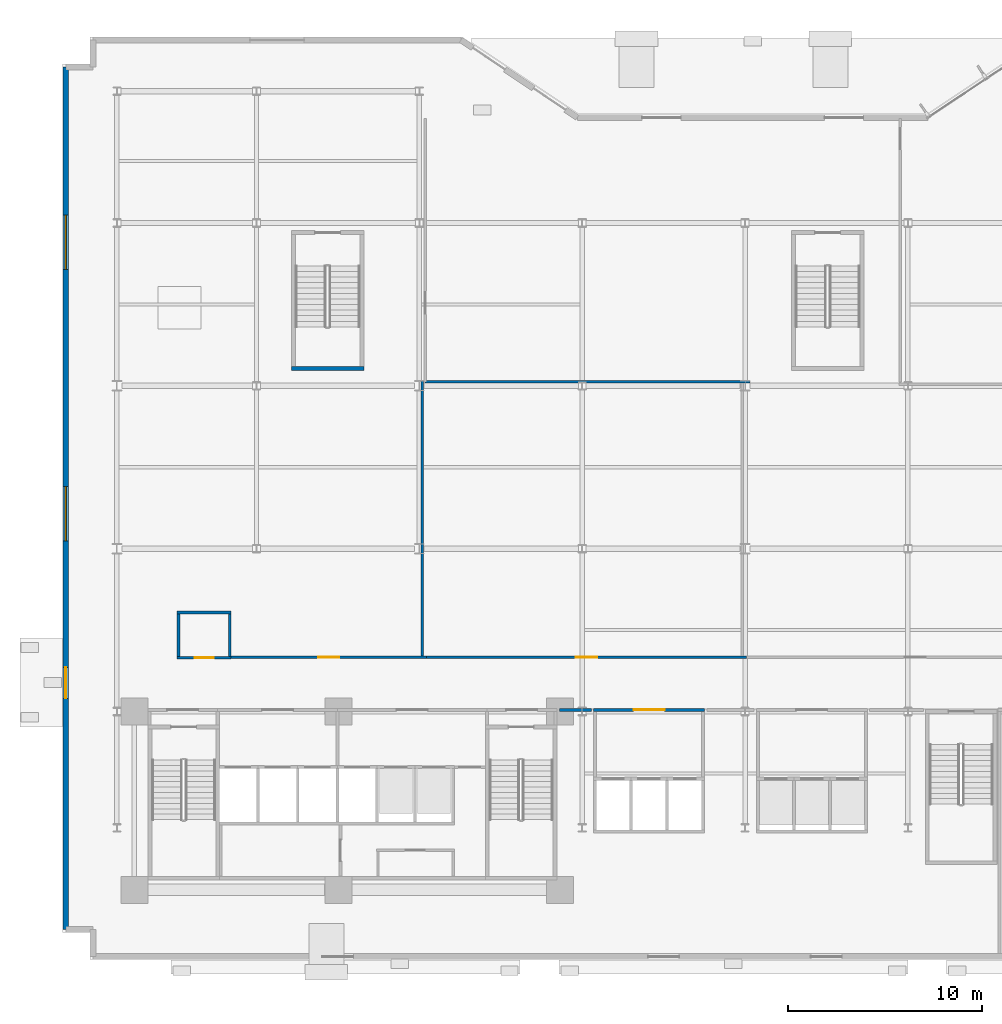
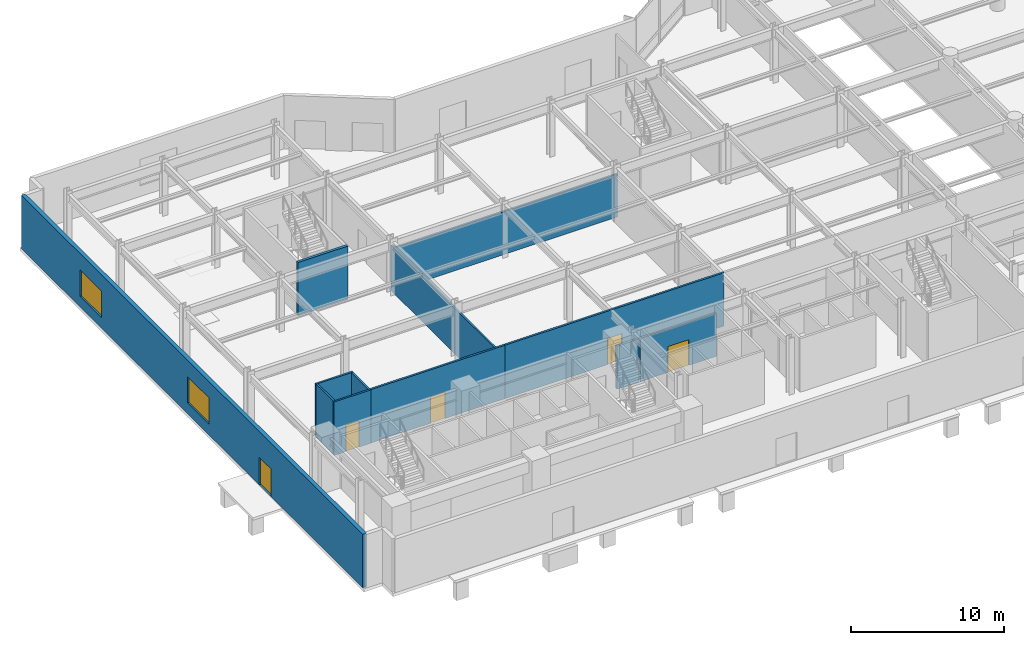
# One storey, part 14 of 26: 12 walls, 5 doors, 2 windows, 7 openings.
"""IFC4 building model written with IfcOpenShell, lengths in metres."""

from ifc_helpers import new_model, si_unit, direction, frame, frame_2d, origin, place, context, subcontext, project, spatial, rectangle, extrude, material, layer, layer_set, type_object, element, fill, save


model = new_model("IFC4")

# Units and contexts
model_context = context("Model", 3, precision=1e-05, world=origin(), true_north=direction((0.0, 1.0)))
body_context = subcontext(model_context, "Body", "Model", "MODEL_VIEW")
ifc_project = project(units=[si_unit("LENGTHUNIT", "METRE"), si_unit("AREAUNIT", "SQUARE_METRE"), si_unit("VOLUMEUNIT", "CUBIC_METRE"), si_unit("PLANEANGLEUNIT", "RADIAN"), si_unit("MASSUNIT", "GRAM", prefix="KILO")], contexts=[model_context])

# Site, building, storey
site_placement = place(None, origin())
site = spatial("IfcSite", under=ifc_project, at=site_placement, CompositionType="ELEMENT")
building_placement = place(site_placement, origin())
building = spatial("IfcBuilding", under=site, at=building_placement, Name="Varnakote Quay Hospital", CompositionType="ELEMENT")
storey_placement = place(building_placement, origin())
storey = spatial("IfcBuildingStorey", under=building, at=storey_placement, Name="L00", CompositionType="ELEMENT", Elevation=0.0)

# Wall, opening, door
ifc_material_1 = material(Name="Fire-rated acoustic gypsum stud wall", Category="gypsum")
ifc_layer_1 = layer(ifc_material_1, 0.159912109375)
ifc_layer_set_1 = layer_set([ifc_layer_1], Name="Fire-rated acoustic gypsum stud wall")
wall_type_1 = type_object("IfcWallType", Name="WL-COMP-160", PredefinedType="PARTITIONING", material=ifc_layer_set_1)
wall_1_placement = place(storey_placement, frame((25.7900390625, 12.080078125, 0.0), z_axis=(0.0, 0.0, 1.0), x_axis=(1.0, 0.0, 0.0)))
wall_1 = element("IfcWall", 1, at=wall_1_placement, inside=storey, type_object=wall_type_1, Name="L00 Low-Rise Lift Lobby North Wall", PredefinedType="PARTITIONING", context=body_context, shape_type="SweptSolid", body=[
    extrude(rectangle(XDim=5.719970703125, YDim=0.159912109375, at=frame_2d((2.85986328125, 0.0))), origin(), (0.0, 0.0, 1.0), 3.425048828125),
])
opening_1_placement = place(wall_1_placement, frame((2.06005859375, 0.0, 0.0)))
opening_1 = element("IfcOpeningElement", 2, at=opening_1_placement, cuts=wall_1, Name="Opening D-PLL-L00", PredefinedType="OPENING", context=body_context, shape_type="SweptSolid", body=[
    extrude(rectangle(XDim=1.60009765625, YDim=2.050048828125, at=frame_2d((0.800048828125, 1.02490234375))), frame((0.0, 0.08984375, 0.0), z_axis=(0.0, -1.0, 0.0), x_axis=(1.0, 0.0, 0.0)), (0.0, 0.0, 1.0), 0.179931640625),
])
ifc_material_2 = material(Name="Fire-rated double smoke lobby door")
door_type_1 = type_object("IfcDoorType", Name="DR-LOBBY-FD60S-1600x2150", OperationType="NOTDEFINED", PredefinedType="DOOR", material=ifc_material_2)
door_1_placement = place(opening_1_placement, origin())
door_1 = element("IfcDoor", 3, at=door_1_placement, inside=storey, type_object=door_type_1, Name="L00 Low-Rise Passenger Concourse Vestibule Door", OperationType="DOUBLE_DOOR_SINGLE_SWING", OverallHeight=2.050048828125, OverallWidth=1.60009765625, PredefinedType="DOOR", context=body_context, shape_type="SweptSolid", body=[
    extrude(rectangle(XDim=1.60009765625, YDim=2.050048828125, at=frame_2d((0.800048828125, 1.02490234375))), frame((0.0, 0.02490234375, 0.0), z_axis=(0.0, -1.0, 0.0), x_axis=(1.0, 0.0, 0.0)), (0.0, 0.0, 1.0), 0.050048828125),
])
fill(opening_1, door_1)

# Wall
wall_2_placement = place(storey_placement, frame((24.02001953125, 12.080078125, 0.0), z_axis=(0.0, 0.0, 1.0), x_axis=(1.0, 0.0, 0.0)))
element("IfcWall", 4, at=wall_2_placement, inside=storey, type_object=wall_type_1, Name="L00 Corridor South Gap Wall", PredefinedType="PARTITIONING", context=body_context, shape_type="SweptSolid", body=[
    extrude(rectangle(XDim=1.64990234375, YDim=0.159912109375, at=frame_2d((0.824951171875, 0.0))), origin(), (0.0, 0.0, 1.0), 3.425048828125),
])

# Wall, openings, door, windows
ifc_material_3 = material(Name="Precast concrete N50 (f'c 50 MPa)", Category="concrete")
ifc_layer_2 = layer(ifc_material_3, 0.300048828125)
ifc_layer_set_2 = layer_set([ifc_layer_2], Name="Precast concrete N50 (f'c 50 MPa)")
wall_type_2 = type_object("IfcWallType", Name="WL-EXT-BRICK-300", PredefinedType="STANDARD", material=ifc_layer_set_2)
wall_3_placement = place(storey_placement, frame((-1.43994140625, 0.760009765625, 0.0), z_axis=(0.0, 0.0, 1.0), x_axis=(0.0, 1.0, 0.0)))
wall_3 = element("IfcWall", 5, at=wall_3_placement, inside=storey, type_object=wall_type_2, Name="L00 West Protected Corridor & Emergency Exterior Wall", PredefinedType="STANDARD", context=body_context, shape_type="SweptSolid", body=[
    extrude(rectangle(XDim=44.47998046875, YDim=0.300048828125, at=frame_2d((22.239990234375, 0.0))), origin(), (0.0, 0.0, 1.0), 4.25),
])
opening_2_placement = place(wall_3_placement, frame((11.919921875, 0.0, 0.0)))
opening_2 = element("IfcOpeningElement", 6, at=opening_2_placement, cuts=wall_3, Name="Opening DE-ST1-L00", PredefinedType="OPENING", context=body_context, shape_type="SweptSolid", body=[
    extrude(rectangle(XDim=1.60009765625, YDim=2.199951171875, at=frame_2d((0.800048828125, 1.10009765625))), frame((0.0, 0.159912109375, 0.0), z_axis=(0.0, -1.0, 0.0), x_axis=(1.0, 0.0, 0.0)), (0.0, 0.0, 1.0), 0.320068359375),
])
opening_3_placement = place(wall_3_placement, frame((20.0400390625, 0.0, 0.85009765625)))
opening_3 = element("IfcOpeningElement", 7, at=opening_3_placement, cuts=wall_3, Name="Opening WN-0005", PredefinedType="OPENING", context=body_context, shape_type="SweptSolid", body=[
    extrude(rectangle(XDim=2.800048828125, YDim=2.10009765625, at=frame_2d((1.39990234375, 1.050048828125))), frame((0.0, 0.159912109375, 0.0), z_axis=(0.0, -1.0, 0.0), x_axis=(1.0, 0.0, 0.0)), (0.0, 0.0, 1.0), 0.320068359375),
])
opening_4_placement = place(wall_3_placement, frame((34.0400390625, 0.0, 0.85009765625)))
opening_4 = element("IfcOpeningElement", 8, at=opening_4_placement, cuts=wall_3, Name="Opening WN-0006", PredefinedType="OPENING", context=body_context, shape_type="SweptSolid", body=[
    extrude(rectangle(XDim=2.800048828125, YDim=2.10009765625, at=frame_2d((1.39990234375, 1.050048828125))), frame((0.0, 0.159912109375, 0.0), z_axis=(0.0, -1.0, 0.0), x_axis=(1.0, 0.0, 0.0)), (0.0, 0.0, 1.0), 0.320068359375),
])
ifc_material_4 = material(Name="Galvanised steel acoustic exit door", Category="steel")
door_type_2 = type_object("IfcDoorType", Name="DR-EXT-EXIT-1600x2200", OperationType="NOTDEFINED", PredefinedType="DOOR", material=ifc_material_4)
door_2_placement = place(opening_2_placement, origin())
door_2 = element("IfcDoor", 9, at=door_2_placement, inside=storey, type_object=door_type_2, Name="L00 Protected Fire Stair Final Exit Door DE-ST1-L00", OperationType="DOUBLE_DOOR_SINGLE_SWING", OverallHeight=2.199951171875, OverallWidth=1.60009765625, PredefinedType="DOOR", context=body_context, shape_type="SweptSolid", body=[
    extrude(rectangle(XDim=1.60009765625, YDim=2.199951171875, at=frame_2d((0.800048828125, 1.10009765625))), frame((0.0, 0.02490234375, 0.0), z_axis=(0.0, -1.0, 0.0), x_axis=(1.0, 0.0, 0.0)), (0.0, 0.0, 1.0), 0.050048828125),
])
fill(opening_2, door_2)
ifc_material_5 = material(Name="Double-glazed acoustic laminated glass", Category="glass")
window_type = type_object("IfcWindowType", Name="WIN-POD-2800x2100", PartitioningType="SINGLE_PANEL", PredefinedType="WINDOW", material=ifc_material_5)
window_1_placement = place(opening_3_placement, origin())
window_1 = element("IfcWindow", 10, at=window_1_placement, inside=storey, type_object=window_type, Name="L00 Solar-Control Clinical Window", OverallHeight=2.10009765625, OverallWidth=2.800048828125, PartitioningType="SINGLE_PANEL", PredefinedType="WINDOW", context=body_context, shape_type="SweptSolid", body=[
    extrude(rectangle(XDim=2.800048828125, YDim=2.10009765625, at=frame_2d((1.39990234375, 1.050048828125))), frame((0.0, 0.030029296875, 0.0), z_axis=(0.0, -1.0, 0.0), x_axis=(1.0, 0.0, 0.0)), (0.0, 0.0, 1.0), 0.06005859375),
])
fill(opening_3, window_1)
window_2_placement = place(opening_4_placement, origin())
window_2 = element("IfcWindow", 11, at=window_2_placement, inside=storey, type_object=window_type, Name="L00 Solar-Control Clinical Window", OverallHeight=2.10009765625, OverallWidth=2.800048828125, PartitioningType="SINGLE_PANEL", PredefinedType="WINDOW", context=body_context, shape_type="SweptSolid", body=[
    extrude(rectangle(XDim=2.800048828125, YDim=2.10009765625, at=frame_2d((1.39990234375, 1.050048828125))), frame((0.0, 0.030029296875, 0.0), z_axis=(0.0, -1.0, 0.0), x_axis=(1.0, 0.0, 0.0)), (0.0, 0.0, 1.0), 0.06005859375),
])
fill(opening_4, window_2)

# Walls
ifc_material_6 = material(Name="Concrete N50 (f'c 50 MPa)", Category="concrete")
ifc_layer_3 = layer(ifc_material_6, 0.199951171875)
ifc_layer_set_3 = layer_set([ifc_layer_3], Name="Concrete N50 (f'c 50 MPa)")
wall_type_3 = type_object("IfcWallType", Name="WL-SHAFT-N50-200", PredefinedType="SHEAR", material=ifc_layer_set_3)
wall_4_placement = place(storey_placement, frame((10.199951171875, 29.699951171875, 0.0), z_axis=(0.0, 0.0, 1.0), x_axis=(1.0, 0.0, 0.0)))
element("IfcWall", 12, at=wall_4_placement, inside=storey, type_object=wall_type_3, Name="L00 Stair ST4 South Shaft Wall", PredefinedType="SHEAR", context=body_context, shape_type="SweptSolid", body=[
    extrude(rectangle(XDim=3.739990234375, YDim=0.199951171875, at=frame_2d((1.8701171875, 0.0))), origin(), (0.0, 0.0, 1.0), 4.25),
])
ifc_material_7 = material(Name="Smoke-proof clinical partition", Category="gypsum")
ifc_layer_4 = layer(ifc_material_7, 0.135009765625)
ifc_layer_set_4 = layer_set([ifc_layer_4], Name="Smoke-proof clinical partition")
wall_type_4 = type_object("IfcWallType", Name="WL-SMOKE-135", PredefinedType="PARTITIONING", material=ifc_layer_set_4)
wall_5_placement = place(storey_placement, frame((17.10009765625, 29.0, 0.0), z_axis=(0.0, 0.0, 1.0), x_axis=(1.0, 0.0, 0.0)))
element("IfcWall", 13, at=wall_5_placement, inside=storey, type_object=wall_type_4, Name="L00 Clinical Interior Partition", PredefinedType="PARTITIONING", context=body_context, shape_type="SweptSolid", body=[
    extrude(rectangle(XDim=16.75, YDim=0.135009765625, at=frame_2d((8.375, 0.0))), origin(), (0.0, 0.0, 1.0), 3.425048828125),
])
wall_6_placement = place(storey_placement, frame((16.949951171875, 14.864990234375, 0.0), z_axis=(0.0, 0.0, 1.0), x_axis=(0.0, 1.0, 0.0)))
element("IfcWall", 14, at=wall_6_placement, inside=storey, type_object=wall_type_4, Name="L00 Clinical Interior Partition", PredefinedType="PARTITIONING", context=body_context, shape_type="SweptSolid", body=[
    extrude(rectangle(XDim=14.2021484375, YDim=0.135009765625, at=frame_2d((7.10107421875, 0.0))), origin(), (0.0, 0.0, 1.0), 3.623046875),
])

# Wall, opening, door
ifc_material_8 = material(Name="Fire-rated clinical gypsum partition", Category="gypsum")
ifc_layer_5 = layer(ifc_material_8, 0.139892578125)
ifc_layer_set_5 = layer_set([ifc_layer_5], Name="Fire-rated clinical gypsum partition")
wall_type_5 = type_object("IfcWallType", Name="WL-WARD-140", PredefinedType="PARTITIONING", material=ifc_layer_set_5)
wall_7_placement = place(storey_placement, frame((4.31005859375, 14.77001953125, 0.0), z_axis=(0.0, 0.0, 1.0), x_axis=(1.0, 0.0, 0.0)))
wall_7 = element("IfcWall", 15, at=wall_7_placement, inside=storey, type_object=wall_type_5, Name="L00 Floor Unisex Accessible WC S Wall", PredefinedType="PARTITIONING", context=body_context, shape_type="SweptSolid", body=[
    extrude(rectangle(XDim=2.780029296875, YDim=0.139892578125, at=frame_2d((1.39013671875, 0.0))), origin(), (0.0, 0.0, 1.0), 4.25),
])
opening_5_placement = place(wall_7_placement, frame((0.89990234375, 0.0, 0.0)))
opening_5 = element("IfcOpeningElement", 16, at=opening_5_placement, cuts=wall_7, Name="Opening D-L00-EW01", PredefinedType="OPENING", context=body_context, shape_type="SweptSolid", body=[
    extrude(rectangle(XDim=0.97998046875, YDim=2.10009765625, at=frame_2d((0.489990234375, 1.050048828125))), frame((0.0, 0.079833984375, 0.0), z_axis=(0.0, -1.0, 0.0), x_axis=(1.0, 0.0, 0.0)), (0.0, 0.0, 1.0), 0.159912109375),
])
ifc_material_9 = material(Name="Accessible sanitary compartment door")
door_type_3 = type_object("IfcDoorType", Name="DR-WC-980x2100", OperationType="NOTDEFINED", PredefinedType="DOOR", material=ifc_material_9)
door_3_placement = place(opening_5_placement, origin())
door_3 = element("IfcDoor", 17, at=door_3_placement, inside=storey, type_object=door_type_3, Name="L00 Floor Unisex Accessible WC Door", OperationType="SINGLE_SWING_RIGHT", OverallHeight=2.10009765625, OverallWidth=0.97998046875, PredefinedType="DOOR", context=body_context, shape_type="SweptSolid", body=[
    extrude(rectangle(XDim=0.97998046875, YDim=2.10009765625, at=frame_2d((0.489990234375, 1.050048828125))), frame((0.0, 0.02490234375, 0.0), z_axis=(0.0, -1.0, 0.0), x_axis=(1.0, 0.0, 0.0)), (0.0, 0.0, 1.0), 0.050048828125),
])
fill(opening_5, door_3)

# Walls
wall_8_placement = place(storey_placement, frame((4.31005859375, 17.110107421875, 0.0), z_axis=(0.0, 0.0, 1.0), x_axis=(1.0, 0.0, 0.0)))
element("IfcWall", 18, at=wall_8_placement, inside=storey, type_object=wall_type_5, Name="L00 Floor Unisex Accessible WC N Wall", PredefinedType="PARTITIONING", context=body_context, shape_type="SweptSolid", body=[
    extrude(rectangle(XDim=2.780029296875, YDim=0.139892578125, at=frame_2d((1.39013671875, 0.0))), origin(), (0.0, 0.0, 1.0), 4.25),
])
for number, where, z_axis, x_axis, name in (
    (19, (4.3798828125, 14.840087890625, 0.0), (0.0, 0.0, 1.0), (0.0, 1.0, 0.0), "L00 Floor Unisex Accessible WC W Wall"),
    (20, (7.02001953125, 14.840087890625, 0.0), (0.0, 0.0, 1.0), (0.0, 1.0, 0.0), "L00 Floor Unisex Accessible WC E Wall"),
):
    element("IfcWall", number, at=place(storey_placement, frame(where, z_axis=z_axis, x_axis=x_axis)), inside=storey, type_object=wall_type_5, Name=name, PredefinedType="PARTITIONING", context=body_context, shape_type="SweptSolid", body=[
        extrude(rectangle(XDim=2.199951171875, YDim=0.139892578125, at=frame_2d((1.10009765625, 0.0))), origin(), (0.0, 0.0, 1.0), 4.25),
    ])

# Wall, opening, door
ifc_material_10 = material(Name="Fire-rated clinical gypsum partition", Category="gypsum")
ifc_layer_6 = layer(ifc_material_10, 0.14990234375)
ifc_layer_set_6 = layer_set([ifc_layer_6], Name="Fire-rated clinical gypsum partition")
wall_type_6 = type_object("IfcWallType", Name="WL-WARD-150", PredefinedType="PARTITIONING", material=ifc_layer_set_6)
wall_9_placement = place(storey_placement, frame((17.16796875, 14.800048828125, 0.0), z_axis=(0.0, 0.0, 1.0), x_axis=(-1.0, 0.0, 0.0)))
wall_9 = element("IfcWall", 21, at=wall_9_placement, inside=storey, type_object=wall_type_6, Name="L00 Clinical Interior Partition", PredefinedType="PARTITIONING", context=body_context, shape_type="SweptSolid", body=[
    extrude(rectangle(XDim=10.075927734375, YDim=0.14990234375, at=frame_2d((5.0380859375, 0.0))), origin(), (0.0, 0.0, 1.0), 4.25),
])
opening_6_placement = place(wall_9_placement, frame((4.488037109375, 0.0, 0.0)))
opening_6 = element("IfcOpeningElement", 22, at=opening_6_placement, cuts=wall_9, Name="Opening D-L00-EMRG", PredefinedType="OPENING", context=body_context, shape_type="SweptSolid", body=[
    extrude(rectangle(XDim=1.10009765625, YDim=2.10009765625, at=frame_2d((0.550048828125, 1.050048828125))), frame((0.0, 0.0849609375, 0.0), z_axis=(0.0, -1.0, 0.0), x_axis=(1.0, 0.0, 0.0)), (0.0, 0.0, 1.0), 0.169921875),
])
ifc_material_11 = material(Name="Acoustic timber clinical consult door", Category="wood")
door_type_4 = type_object("IfcDoorType", Name="DR-CLIN-FD30S-1100x2100", OperationType="NOTDEFINED", PredefinedType="DOOR", material=ifc_material_11)
door_4_placement = place(opening_6_placement, origin())
door_4 = element("IfcDoor", 23, at=door_4_placement, inside=storey, type_object=door_type_4, Name="L00 Emergency Resuscitation Treatment Suite Door", OperationType="SINGLE_SWING_RIGHT", OverallHeight=2.10009765625, OverallWidth=1.10009765625, PredefinedType="DOOR", context=body_context, shape_type="SweptSolid", body=[
    extrude(rectangle(XDim=1.10009765625, YDim=2.10009765625, at=frame_2d((0.550048828125, 1.050048828125))), frame((0.0, 0.02490234375, 0.0), z_axis=(0.0, -1.0, 0.0), x_axis=(1.0, 0.0, 0.0)), (0.0, 0.0, 1.0), 0.050048828125),
])
fill(opening_6, door_4)

wall_10_placement = place(storey_placement, frame((33.66796875, 14.800048828125, 0.0), z_axis=(0.0, 0.0, 1.0), x_axis=(-1.0, 0.0, 0.0)))
wall_10 = element("IfcWall", 24, at=wall_10_placement, inside=storey, type_object=wall_type_6, Name="L00 Clinical Interior Partition", PredefinedType="PARTITIONING", context=body_context, shape_type="SweptSolid", body=[
    extrude(rectangle(XDim=16.498046875, YDim=0.14990234375, at=frame_2d((8.2490234375, 0.0))), origin(), (0.0, 0.0, 1.0), 4.25),
])
opening_7_placement = place(wall_10_placement, frame((7.698974609375, 0.0, 0.0)))
opening_7 = element("IfcOpeningElement", 25, at=opening_7_placement, cuts=wall_10, Name="Opening D-L00-TRIA", PredefinedType="OPENING", context=body_context, shape_type="SweptSolid", body=[
    extrude(rectangle(XDim=1.10009765625, YDim=2.10009765625, at=frame_2d((0.550048828125, 1.050048828125))), frame((0.0, 0.0849609375, 0.0), z_axis=(0.0, -1.0, 0.0), x_axis=(1.0, 0.0, 0.0)), (0.0, 0.0, 1.0), 0.169921875),
])
door_5_placement = place(opening_7_placement, origin())
door_5 = element("IfcDoor", 26, at=door_5_placement, inside=storey, type_object=door_type_4, Name="L00 Ambulance Triage Reception Door", OperationType="SINGLE_SWING_LEFT", OverallHeight=2.10009765625, OverallWidth=1.10009765625, PredefinedType="DOOR", context=body_context, shape_type="SweptSolid", body=[
    extrude(rectangle(XDim=1.10009765625, YDim=2.10009765625, at=frame_2d((0.550048828125, 1.050048828125))), frame((0.0, 0.02490234375, 0.0), z_axis=(0.0, -1.0, 0.0), x_axis=(1.0, 0.0, 0.0)), (0.0, 0.0, 1.0), 0.050048828125),
])
fill(opening_7, door_5)

save(model, "model.ifc")
